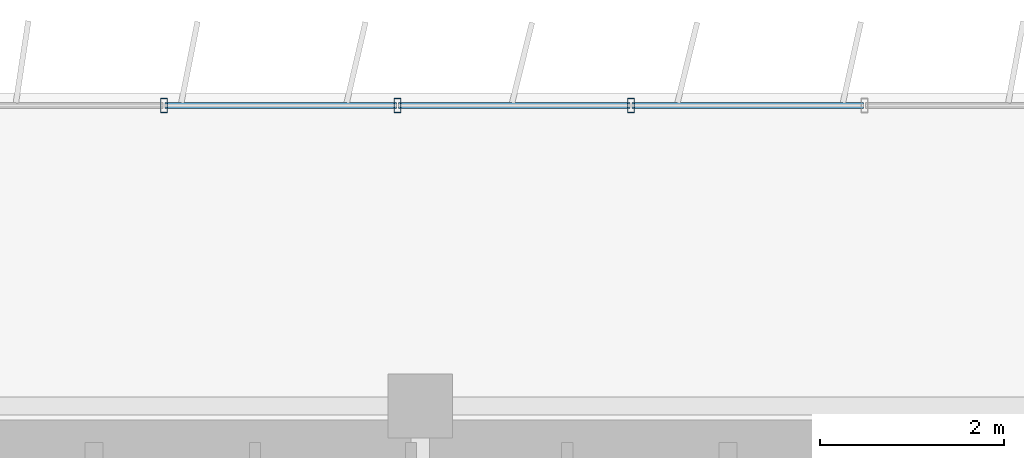
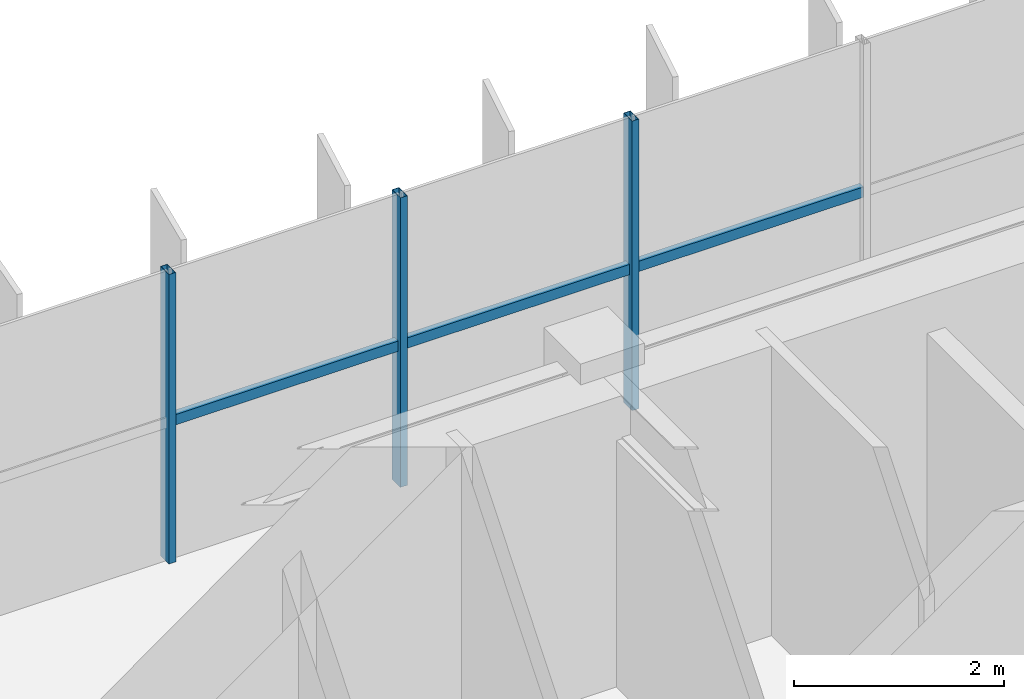
# One storey, part 11 of 23: 6 members, 1 element without a shape of its own.
"""IFC4 building model written with IfcOpenShell, lengths in metres."""

from ifc_helpers import new_model, si_unit, direction, frame, origin, origin_2d, place, context, subcontext, project, spatial, hollow_rectangle, extrude, source, transform, mapped, material, material_profile, profile_set, type_object, element, aggregate, save


model = new_model("IFC4")

# Units and contexts
model_context = context("Model", 3, precision=1e-05, world=origin(), true_north=direction((0.0, 1.0)))
body_context = subcontext(model_context, "Body", "Model", "MODEL_VIEW")
ifc_project = project(units=[si_unit("LENGTHUNIT", "METRE"), si_unit("AREAUNIT", "SQUARE_METRE"), si_unit("VOLUMEUNIT", "CUBIC_METRE"), si_unit("PLANEANGLEUNIT", "RADIAN"), si_unit("MASSUNIT", "GRAM", prefix="KILO")], contexts=[model_context])

# Site, building, storey
site_placement = place(None, origin())
site = spatial("IfcSite", under=ifc_project, at=site_placement, CompositionType="ELEMENT")
building_placement = place(site_placement, origin())
building = spatial("IfcBuilding", under=site, at=building_placement, Name="Trelvane Seafront Commons", CompositionType="ELEMENT")
storey_placement = place(building_placement, frame((0.0, 0.0, 190.5)))
storey = spatial("IfcBuildingStorey", under=building, at=storey_placement, Name="L49", CompositionType="ELEMENT", Elevation=190.5)

# Curtain wall, members
ifc_material = material(Name="Anodised pale-silver aluminium", Category="aluminium")
curtain_wall_type = type_object("IfcCurtainWallType", Name="ARCH-CW5-UPTOWER", PredefinedType="NOTDEFINED", material=ifc_material)
curtain_wall_placement = place(storey_placement, origin())
curtain_wall = element("IfcCurtainWall", 1, at=curtain_wall_placement, inside=storey, type_object=curtain_wall_type, Name="CW-L49-0077", PredefinedType="NOTDEFINED")
ifc_material_profile_1 = material_profile(ifc_material, hollow_rectangle(XDim=0.070068359375, YDim=0.1201171875, WallThickness=0.00390625, at=origin_2d()), Name="TRAN-70x120x4")
ifc_profile_set_1 = profile_set([ifc_material_profile_1], Name="Anodised pale-silver aluminium")
member_type_1 = type_object("IfcMemberType", Name="ARCH-CW-TRAN-120", PredefinedType="USERDEFINED", material=ifc_profile_set_1)
shared_shape_1 = source(origin(), body_context, "Body", "SweptSolid", [
    extrude(hollow_rectangle(XDim=0.070068359375, YDim=0.1201171875, WallThickness=0.00390625, at=origin_2d()), origin(), (0.0, 0.0, 1.0), 2.51708984375),
])
member_1_placement = place(storey_placement, frame((43.56494140625, 48.3701171875, 1.613037109375), z_axis=(1.0, 0.0, 0.0), x_axis=(0.0, 1.0, 0.0)))
member_1 = element("IfcMember", 2, at=member_1_placement, type_object=member_type_1, Name="CW-L49-0077-T11", ObjectType="TRANSOM", PredefinedType="USERDEFINED", context=body_context, shape_type="MappedRepresentation", body=[
    mapped(shared_shape_1, transform((0.0, 0.0, 0.0), x_axis=(1.0, 0.0, 0.0), y_axis=(0.0, 1.0, 0.0), z_axis=(0.0, 0.0, 1.0), scale=1.0)),
])
member_2_placement = place(storey_placement, frame((46.106201171875, 48.3701171875, 1.613037109375), z_axis=(1.0, 0.0, 0.0), x_axis=(0.0, 1.0, 0.0)))
member_2 = element("IfcMember", 3, at=member_2_placement, type_object=member_type_1, Name="CW-L49-0077-T12", ObjectType="TRANSOM", PredefinedType="USERDEFINED", context=body_context, shape_type="MappedRepresentation", body=[
    mapped(shared_shape_1, transform((0.0, 0.0, 0.0), x_axis=(1.0, 0.0, 0.0), y_axis=(0.0, 1.0, 0.0), z_axis=(0.0, 0.0, 1.0), scale=1.0)),
])
shared_shape_2 = source(origin(), body_context, "Body", "SweptSolid", [
    extrude(hollow_rectangle(XDim=0.070068359375, YDim=0.1201171875, WallThickness=0.00390625, at=origin_2d()), origin(), (0.0, 0.0, 1.0), 2.517333984375),
])
member_3_placement = place(storey_placement, frame((41.023681640625, 48.3701171875, 1.613037109375), z_axis=(1.0, 0.0, 0.0), x_axis=(0.0, 1.0, 0.0)))
member_3 = element("IfcMember", 4, at=member_3_placement, type_object=member_type_1, Name="CW-L49-0077-T10", ObjectType="TRANSOM", PredefinedType="USERDEFINED", context=body_context, shape_type="MappedRepresentation", body=[
    mapped(shared_shape_2, transform((0.0, 0.0, 0.0), x_axis=(1.0, 0.0, 0.0), y_axis=(0.0, 1.0, 0.0), z_axis=(0.0, 0.0, 1.0), scale=1.0)),
])
ifc_material_profile_2 = material_profile(ifc_material, hollow_rectangle(XDim=0.074951171875, YDim=0.159912109375, WallThickness=0.00390625, at=origin_2d()), Name="MULL-75x160x4")
ifc_profile_set_2 = profile_set([ifc_material_profile_2], Name="Anodised pale-silver aluminium")
member_type_2 = type_object("IfcMemberType", Name="ARCH-CW-MULL-160", PredefinedType="MULLION", material=ifc_profile_set_2)
shared_shape_3 = source(origin(), body_context, "Body", "SweptSolid", [
    extrude(hollow_rectangle(XDim=0.074951171875, YDim=0.159912109375, WallThickness=0.00390625, at=origin_2d()), origin(), (0.0, 0.0, 1.0), 3.360107421875),
])
member_4_placement = place(storey_placement, frame((41.01171875, 48.3701171875, 0.0), z_axis=(0.0, 0.0, 1.0), x_axis=(1.0, 0.0, 0.0)))
member_4 = element("IfcMember", 5, at=member_4_placement, type_object=member_type_2, Name="CW-L49-0077-M10", PredefinedType="MULLION", context=body_context, shape_type="MappedRepresentation", body=[
    mapped(shared_shape_3, transform((0.0, 0.0, 0.0), x_axis=(1.0, 0.0, 0.0), y_axis=(0.0, 1.0, 0.0), z_axis=(0.0, 0.0, 1.0), scale=1.0)),
])
member_5_placement = place(storey_placement, frame((43.552978515625, 48.3701171875, 0.0), z_axis=(0.0, 0.0, 1.0), x_axis=(1.0, 0.0, 0.0)))
member_5 = element("IfcMember", 6, at=member_5_placement, type_object=member_type_2, Name="CW-L49-0077-M11", PredefinedType="MULLION", context=body_context, shape_type="MappedRepresentation", body=[
    mapped(shared_shape_3, transform((0.0, 0.0, 0.0), x_axis=(1.0, 0.0, 0.0), y_axis=(0.0, 1.0, 0.0), z_axis=(0.0, 0.0, 1.0), scale=1.0)),
])
member_6_placement = place(storey_placement, frame((46.093994140625, 48.3701171875, 0.0), z_axis=(0.0, 0.0, 1.0), x_axis=(1.0, 0.0, 0.0)))
member_6 = element("IfcMember", 7, at=member_6_placement, type_object=member_type_2, Name="CW-L49-0077-M12", PredefinedType="MULLION", context=body_context, shape_type="MappedRepresentation", body=[
    mapped(shared_shape_3, transform((0.0, 0.0, 0.0), x_axis=(1.0, 0.0, 0.0), y_axis=(0.0, 1.0, 0.0), z_axis=(0.0, 0.0, 1.0), scale=1.0)),
])
aggregate(curtain_wall, [member_4, member_5, member_6, member_3, member_1, member_2])

save(model, "model.ifc")
